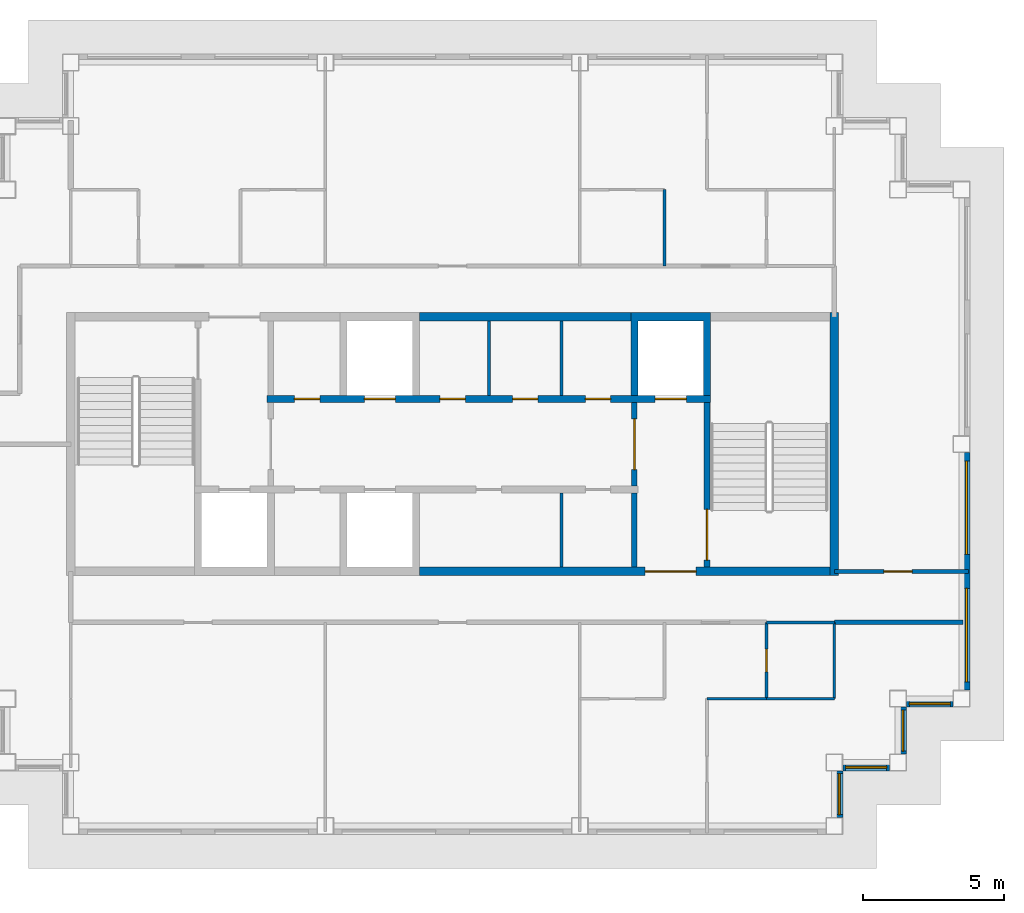
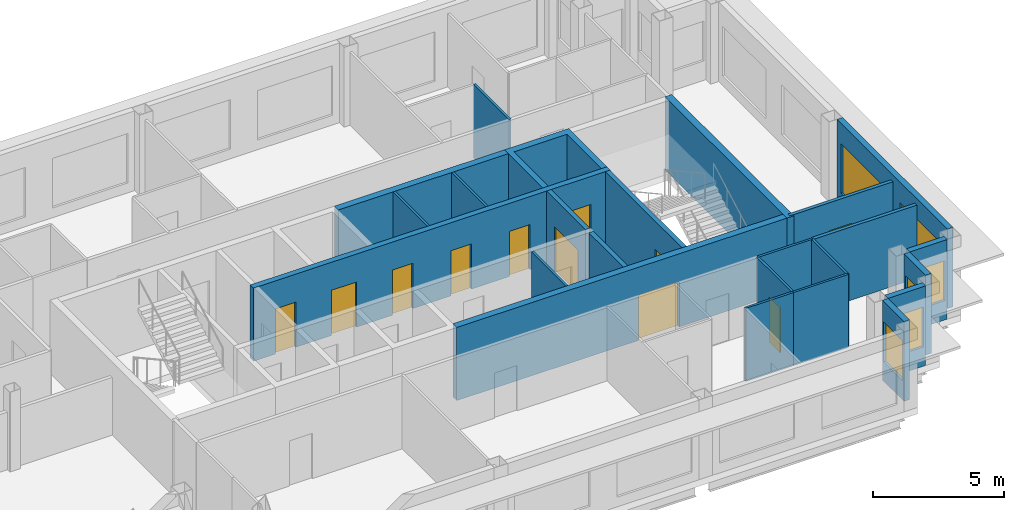
# One storey, part 5 of 11: 24 walls, 11 doors, 6 windows, 17 openings.
"""IFC4 building model written with IfcOpenShell, lengths in metres."""

import ifcopenshell
import ifcopenshell.guid

model = None  # the IFC model being written
_history = None  # IfcOwnerHistory: only IFC2X3 demands one
_inside = {}  # id of a spatial element -> (the spatial element, [elements in it])
_under = {}  # id of a project, library or spatial element -> (it, [spatial elements below it])
_declared = {}  # id of a project -> (the project, [libraries it declares])
_typed = {}  # id of a type object -> (the type object, [elements of that type])
_made_of = {}  # id of a material, layer set ... -> (it, [elements and type objects made of it])


def new_model(schema):
    """Start an empty IFC model of exactly this schema.

    Asked for "IFC4X3", IfcOpenShell would pick the latest addendum, in which some entities
    have other attributes; the version numbers below select the first issue.
    IFC2X3 requires an IfcOwnerHistory on every rooted entity: one is made here for all.
    """
    global model, _history
    if schema == "IFC4X3":
        model = ifcopenshell.file(schema_version=(4, 3, 0, 0))
    else:
        model = ifcopenshell.file(schema=schema)
    _inside.clear()
    _under.clear()
    _declared.clear()
    _typed.clear()
    _made_of.clear()
    _history = None
    if model.schema == "IFC2X3":
        org = make("IfcOrganization", Name="unknown")
        user = make(
            "IfcPersonAndOrganization",
            ThePerson=make("IfcPerson", FamilyName="unknown"),
            TheOrganization=org,
        )
        app = make(
            "IfcApplication",
            ApplicationDeveloper=org,
            Version="unknown",
            ApplicationFullName="unknown",
            ApplicationIdentifier="unknown",
        )
        _history = make(
            "IfcOwnerHistory",
            OwningUser=user,
            OwningApplication=app,
            ChangeAction="ADDED",
            CreationDate=0,
        )
    return model


def make(cls, **values):
    """One entity of the class cls with the attributes given. An attribute that is None is left unset."""
    return model.create_entity(
        cls, **{name: value for name, value in values.items() if value is not None}
    )


def rooted(cls, **values):
    """An entity with a GlobalId (a new one), such as an element, a storey or a relation."""
    return make(cls, GlobalId=ifcopenshell.guid.new(), OwnerHistory=_history, **values)


def si_unit(unit_type, name, prefix=None):
    """IfcSIUnit, for example si_unit("LENGTHUNIT", "METRE", prefix="MILLI")."""
    return make("IfcSIUnit", UnitType=unit_type, Prefix=prefix, Name=name)


def assignment(units):
    """IfcUnitAssignment: the units of a project."""
    return None if units is None else make("IfcUnitAssignment", Units=units)


def point(xyz):
    """IfcCartesianPoint."""
    return None if xyz is None else make("IfcCartesianPoint", Coordinates=xyz)


def direction(xyz):
    """IfcDirection."""
    return None if xyz is None else make("IfcDirection", DirectionRatios=xyz)


def frame(location, z_axis=None, x_axis=None):
    """IfcAxis2Placement3D, a coordinate frame: its origin and axes. An axis left out is left unset."""
    return make(
        "IfcAxis2Placement3D",
        Location=point(location),
        Axis=direction(z_axis),
        RefDirection=direction(x_axis),
    )


def frame_2d(location, x_axis=None):
    """IfcAxis2Placement2D, a coordinate frame in the plane: its origin and x axis."""
    return make(
        "IfcAxis2Placement2D", Location=point(location), RefDirection=direction(x_axis)
    )


def origin():
    """The frame at (0, 0, 0) with its axes left unset."""
    return frame((0.0, 0.0, 0.0))


def place(relative_to, where):
    """IfcLocalPlacement: puts the frame where relative to a parent placement (None: the world)."""
    return make(
        "IfcLocalPlacement", PlacementRelTo=relative_to, RelativePlacement=where
    )


def context(
    kind, dimensions, precision=None, world=None, true_north=None, identifier=None
):
    """IfcGeometricRepresentationContext, for example the 3D "Model" context."""
    return make(
        "IfcGeometricRepresentationContext",
        ContextIdentifier=identifier,
        ContextType=kind,
        CoordinateSpaceDimension=dimensions,
        Precision=precision,
        WorldCoordinateSystem=world,
        TrueNorth=true_north,
    )


def subcontext(parent, identifier, kind, view, scale=None):
    """IfcGeometricRepresentationSubContext, for example "Body" below "Model"."""
    return make(
        "IfcGeometricRepresentationSubContext",
        ContextIdentifier=identifier,
        ContextType=kind,
        ParentContext=parent,
        TargetScale=scale,
        TargetView=view,
    )


def project(units=None, contexts=None):
    """IfcProject with its units and contexts."""
    return rooted(
        "IfcProject",
        Name="project",
        RepresentationContexts=contexts,
        UnitsInContext=assignment(units),
    )


def spatial(cls, under=None, at=None, **own):
    """A site, building, storey or space (cls), placed at a placement, below another one or the project."""
    s = rooted(cls, ObjectPlacement=at, **own)
    if under is not None:
        _under.setdefault(under.id(), (under, []))[1].append(s)
    return s


def polyline(points):
    """IfcPolyline through the points."""
    return make("IfcPolyline", Points=[point(p) for p in points])


def profile(cls, at=None, kind="AREA", **sizes):
    """A parametric profile (cls). Its sizes go by their IFC names, for example OverallWidth=200.0."""
    return make(cls, ProfileType=kind, Position=at, **sizes)


def rectangle(**sizes):
    """IfcRectangleProfileDef."""
    return profile("IfcRectangleProfileDef", **sizes)


def outline(outer, holes=None, kind="AREA"):
    """IfcArbitraryClosedProfileDef: a profile drawn as a closed curve; with holes, ...WithVoids."""
    if holes is None:
        return make("IfcArbitraryClosedProfileDef", ProfileType=kind, OuterCurve=outer)
    return make(
        "IfcArbitraryProfileDefWithVoids",
        ProfileType=kind,
        OuterCurve=outer,
        InnerCurves=holes,
    )


def extrude(swept, where, along, depth):
    """IfcExtrudedAreaSolid: the profile swept, set in the frame where, extruded along a direction by depth."""
    return make(
        "IfcExtrudedAreaSolid",
        SweptArea=swept,
        Position=where,
        ExtrudedDirection=direction(along),
        Depth=depth,
    )


def shape(context_of_items, identifier, shape_type, items):
    """IfcShapeRepresentation: the items that make up one representation, for example the "Body"."""
    return make(
        "IfcShapeRepresentation",
        ContextOfItems=context_of_items,
        RepresentationIdentifier=identifier,
        RepresentationType=shape_type,
        Items=items,
    )


def material(Name=None, Category=None):
    """IfcMaterial."""
    return make("IfcMaterial", Name=Name, Category=Category)


def layer(
    of_material, thickness, ventilated=None, Name=None, Category=None, Priority=None
):
    """IfcMaterialLayer: one layer of a wall or slab, of a material (None: an air gap)."""
    return make(
        "IfcMaterialLayer",
        Material=of_material,
        LayerThickness=thickness,
        IsVentilated=ventilated,
        Name=Name,
        Category=Category,
        Priority=Priority,
    )


def layer_set(layers, Name=None):
    """IfcMaterialLayerSet."""
    return make("IfcMaterialLayerSet", MaterialLayers=layers, LayerSetName=Name)


def made_of(thing, what):
    """Note that an element or type object is made of a material, layer set ...; save() writes the relation."""
    if what is not None:
        _made_of.setdefault(what.id(), (what, []))[1].append(thing)
    return thing


def type_object(cls, material=None, **own):
    """A type object (cls), such as IfcWallType, which elements share."""
    return made_of(rooted(cls, **own), material)


def element(
    cls,
    number,
    at=None,
    inside=None,
    cuts=None,
    type_object=None,
    material=None,
    context=None,
    identifier="Body",
    shape_type=None,
    held_by="IfcProductDefinitionShape",
    body=None,
    shapes=None,
    **own,
):
    """One element of the class cls, such as IfcWall. Its Tag is "e" and its number.

    at: its placement. inside: the storey or other place that contains it. cuts: it is an
    opening in that element (IfcRelVoidsElement). A single representation is given by context,
    identifier, shape_type and body (its items); several are given by shapes. held_by: the class
    of the entity that holds the representations. save() writes the other relations.
    """
    e = rooted(cls, Tag="e%d" % number, ObjectPlacement=at, **own)
    if body is not None:
        shapes = [shape(context, identifier, shape_type, body)]
    if shapes is not None:
        e.Representation = make(held_by, Representations=shapes)
    if inside is not None:
        _inside.setdefault(inside.id(), (inside, []))[1].append(e)
    if cuts is not None:
        rooted(
            "IfcRelVoidsElement", RelatingBuildingElement=cuts, RelatedOpeningElement=e
        )
    if type_object is not None:
        _typed.setdefault(type_object.id(), (type_object, []))[1].append(e)
    return made_of(e, material)


def fill(opening, filler):
    """IfcRelFillsElement: the door or window that sits in an opening."""
    return rooted(
        "IfcRelFillsElement",
        RelatingOpeningElement=opening,
        RelatedBuildingElement=filler,
    )


def aggregate(whole, parts):
    """IfcRelAggregates: a whole, such as a stair, and the parts it consists of."""
    return rooted("IfcRelAggregates", RelatingObject=whole, RelatedObjects=parts)


def save(model, path):
    """Write the relations noted so far, then the file.

    IfcRelAggregates (storeys below a building ...), IfcRelContainedInSpatialStructure (elements
    in a storey), IfcRelDefinesByType, IfcRelAssociatesMaterial and IfcRelDeclares: one each for
    every whole, place, type object, material and project.
    """
    for whole, parts in _under.values():
        aggregate(whole, parts)
    for where, things in _inside.values():
        rooted(
            "IfcRelContainedInSpatialStructure",
            RelatedElements=things,
            RelatingStructure=where,
        )
    for kind, things in _typed.values():
        rooted("IfcRelDefinesByType", RelatedObjects=things, RelatingType=kind)
    for what, things in _made_of.values():
        rooted("IfcRelAssociatesMaterial", RelatedObjects=things, RelatingMaterial=what)
    for by, libraries in _declared.values():
        rooted("IfcRelDeclares", RelatingContext=by, RelatedDefinitions=libraries)
    model.write(path)


model = new_model("IFC4")

# Units and contexts
model_context = context("Model", 3, precision=1e-05, world=origin(), true_north=direction((0.0, 1.0)))
body_context = subcontext(model_context, "Body", "Model", "MODEL_VIEW")
ifc_project = project(units=[si_unit("LENGTHUNIT", "METRE"), si_unit("AREAUNIT", "SQUARE_METRE"), si_unit("VOLUMEUNIT", "CUBIC_METRE"), si_unit("PLANEANGLEUNIT", "RADIAN"), si_unit("MASSUNIT", "GRAM", prefix="KILO")], contexts=[model_context])

# Site, building, storey
site_placement = place(None, origin())
site = spatial("IfcSite", under=ifc_project, at=site_placement, CompositionType="ELEMENT")
building_placement = place(site_placement, origin())
building = spatial("IfcBuilding", under=site, at=building_placement, Name="Caravel Reach Hotel and Residences", CompositionType="ELEMENT")
storey_placement = place(building_placement, frame((0.0, 0.0, 260.10009765625)))
storey = spatial("IfcBuildingStorey", under=building, at=storey_placement, Name="L66", CompositionType="ELEMENT", Elevation=260.10009765625)

# Walls
ifc_material_1 = material(Name="Gypsum board on steel stud", Category="steel")
ifc_layer_1 = layer(ifc_material_1, 0.10009765625)
ifc_layer_set_1 = layer_set([ifc_layer_1], Name="Bathroom pod wall 100 mm")
wall_type_1 = type_object("IfcWallType", Name="Bathroom pod wall 100 mm", PredefinedType="PARTITIONING", material=ifc_layer_set_1)
for number, where, z_axis, x_axis, name in (
    (1, (42.60009765625, 18.0, 0.0), (0.0, 0.0, 1.0), (1.0, 0.0, 0.0), "L66 wall w050"),
    (2, (42.60009765625, 20.699951171875, 0.0), (0.0, 0.0, 1.0), (1.0, 0.0, 0.0), "L66 wall w051"),
):
    element("IfcWall", number, at=place(storey_placement, frame(where, z_axis=z_axis, x_axis=x_axis)), inside=storey, type_object=wall_type_1, Name=name, PredefinedType="PARTITIONING", context=body_context, shape_type="SweptSolid", body=[
        extrude(rectangle(XDim=2.39990234375, YDim=0.10009765625, at=frame_2d((1.199951171875, 0.0))), origin(), (0.0, 0.0, 1.0), 3.39990234375),
    ])

# Wall, opening, door
wall_1_placement = place(storey_placement, frame((42.60009765625, 18.0, 0.0), z_axis=(0.0, 0.0, 1.0), x_axis=(0.0, 1.0, 0.0)))
wall_1 = element("IfcWall", 3, at=wall_1_placement, inside=storey, type_object=wall_type_1, Name="L66 wall w062", PredefinedType="PARTITIONING", context=body_context, shape_type="SweptSolid", body=[
    extrude(rectangle(XDim=2.699951171875, YDim=0.10009765625, at=frame_2d((1.35009765625, 0.0))), origin(), (0.0, 0.0, 1.0), 3.39990234375),
])
opening_1_placement = place(wall_1_placement, frame((0.949951171875, 0.0, 0.0)))
opening_1 = element("IfcOpeningElement", 4, at=opening_1_placement, cuts=wall_1, Name="Opening D66-035", PredefinedType="OPENING", context=body_context, shape_type="SweptSolid", body=[
    extrude(rectangle(XDim=0.800048828125, YDim=2.10009765625, at=frame_2d((0.39990234375, 1.050048828125))), frame((0.0, 0.06005859375, 0.0), z_axis=(0.0, -1.0, 0.0), x_axis=(1.0, 0.0, 0.0)), (0.0, 0.0, 1.0), 0.1201171875),
])
ifc_material_2 = material(Name="Timber and steel door leaf", Category="steel")
door_type_1 = type_object("IfcDoorType", Name="Bathroom door 800 x 2100", OperationType="SINGLE_SWING_LEFT", PredefinedType="DOOR", material=ifc_material_2)
door_1_placement = place(opening_1_placement, origin())
door_1 = element("IfcDoor", 5, at=door_1_placement, inside=storey, type_object=door_type_1, Name="door D66-035", OperationType="SINGLE_SWING_LEFT", OverallHeight=2.10009765625, OverallWidth=0.800048828125, PredefinedType="DOOR", context=body_context, shape_type="SweptSolid", body=[
    extrude(rectangle(XDim=0.800048828125, YDim=2.10009765625, at=frame_2d((0.39990234375, 1.050048828125))), frame((0.0, 0.02490234375, 0.0), z_axis=(0.0, -1.0, 0.0), x_axis=(1.0, 0.0, 0.0)), (0.0, 0.0, 1.0), 0.050048828125),
])
fill(opening_1, door_1)

# Walls
wall_2_placement = place(storey_placement, frame((45.0, 18.0, 0.0), z_axis=(0.0, 0.0, 1.0), x_axis=(0.0, 1.0, 0.0)))
element("IfcWall", 6, at=wall_2_placement, inside=storey, type_object=wall_type_1, Name="L66 wall w064", PredefinedType="PARTITIONING", context=body_context, shape_type="SweptSolid", body=[
    extrude(rectangle(XDim=2.698974609375, YDim=0.10009765625, at=frame_2d((1.349609375, 0.0))), origin(), (0.0, 0.0, 1.0), 3.39990234375),
])
ifc_material_3 = material(Name="Autoclaved aerated block wall")
ifc_layer_2 = layer(ifc_material_3, 0.199951171875)
ifc_layer_set_2 = layer_set([ifc_layer_2], Name="Compartment wall 200 mm EI 120")
wall_type_2 = type_object("IfcWallType", Name="Compartment wall 200 mm EI 120", PredefinedType="PARTITIONING", material=ifc_layer_set_2)
wall_3_placement = place(storey_placement, frame((37.928466796875, 22.64990234375, 0.0), z_axis=(0.0, 0.0, 1.0), x_axis=(0.0, 1.0, 0.0)))
element("IfcWall", 7, at=wall_3_placement, inside=storey, type_object=wall_type_2, Name="L66 store partition", PredefinedType="PARTITIONING", context=body_context, shape_type="SweptSolid", body=[
    extrude(rectangle(XDim=2.625, YDim=0.199951171875, at=frame_2d((1.3125, 0.0))), origin(), (0.0, 0.0, 1.0), 3.39990234375),
])

# Wall, opening, door
ifc_material_4 = material(Name="Concrete C60", Category="concrete")
ifc_layer_3 = layer(ifc_material_4, 0.300048828125)
ifc_layer_set_3 = layer_set([ifc_layer_3], Name="Core wall 300 mm EI 120")
wall_type_3 = type_object("IfcWallType", Name="Core wall 300 mm EI 120", PredefinedType="SHEAR", material=ifc_layer_set_3)
wall_4_placement = place(storey_placement, frame((30.33935546875, 22.5, 0.0), z_axis=(0.0, 0.0, 1.0), x_axis=(1.0, 0.0, 0.0)))
wall_4 = element("IfcWall", 8, at=wall_4_placement, inside=storey, type_object=wall_type_3, Name="L66 core wall S3", PredefinedType="SHEAR", context=body_context, shape_type="SweptSolid", body=[
    extrude(rectangle(XDim=14.5107421875, YDim=0.300048828125, at=frame_2d((7.25537109375, 0.0))), origin(), (0.0, 0.0, 1.0), 3.39990234375),
])
opening_2_placement = place(wall_4_placement, frame((7.97509765625, 0.0, 0.0)))
opening_2 = element("IfcOpeningElement", 9, at=opening_2_placement, cuts=wall_4, Name="Opening D66-017", PredefinedType="OPENING", context=body_context, shape_type="SweptSolid", body=[
    extrude(rectangle(XDim=1.800048828125, YDim=2.10009765625, at=frame_2d((0.89990234375, 1.050048828125))), frame((0.0, 0.159912109375, 0.0), z_axis=(0.0, -1.0, 0.0), x_axis=(1.0, 0.0, 0.0)), (0.0, 0.0, 1.0), 0.320068359375),
])
ifc_material_5 = material(Name="Steel fire door leaf", Category="steel")
door_type_2 = type_object("IfcDoorType", Name="Fire lobby door pair 1800 x 2100 EI 90", OperationType="DOUBLE_DOOR_SINGLE_SWING", PredefinedType="DOOR", material=ifc_material_5)
door_2_placement = place(opening_2_placement, origin())
door_2 = element("IfcDoor", 10, at=door_2_placement, inside=storey, type_object=door_type_2, Name="lobby S door pair to corridor", OperationType="DOUBLE_DOOR_SINGLE_SWING", OverallHeight=2.10009765625, OverallWidth=1.800048828125, PredefinedType="DOOR", context=body_context, shape_type="SweptSolid", body=[
    extrude(rectangle(XDim=1.800048828125, YDim=2.10009765625, at=frame_2d((0.89990234375, 1.050048828125))), frame((0.0, 0.02490234375, 0.0), z_axis=(0.0, -1.0, 0.0), x_axis=(1.0, 0.0, 0.0)), (0.0, 0.0, 1.0), 0.050048828125),
])
fill(opening_2, door_2)

# Walls
wall_5_placement = place(storey_placement, frame((30.33935546875, 31.5, 0.0), z_axis=(0.0, 0.0, 1.0), x_axis=(1.0, 0.0, 0.0)))
element("IfcWall", 11, at=wall_5_placement, inside=storey, type_object=wall_type_3, Name="L66 core wall N2", PredefinedType="SHEAR", context=body_context, shape_type="SweptSolid", body=[
    extrude(rectangle(XDim=7.464111328125, YDim=0.300048828125, at=frame_2d((3.73193359375, 0.0))), origin(), (0.0, 0.0, 1.0), 3.39990234375),
])
wall_6_placement = place(storey_placement, frame((45.0, 22.35009765625, 0.0), z_axis=(0.0, 0.0, 1.0), x_axis=(0.0, 1.0, 0.0)))
element("IfcWall", 12, at=wall_6_placement, inside=storey, type_object=wall_type_3, Name="L66 core wall E", PredefinedType="SHEAR", context=body_context, shape_type="SweptSolid", body=[
    extrude(rectangle(XDim=9.2998046875, YDim=0.300048828125, at=frame_2d((4.64990234375, 0.0))), origin(), (0.0, 0.0, 1.0), 3.39990234375),
])
ifc_material_6 = material(Name="Gypsum board on steel stud, fire-rated", Category="steel")
ifc_layer_4 = layer(ifc_material_6, 0.14990234375)
ifc_layer_set_4 = layer_set([ifc_layer_4], Name="Corridor wall 150 mm EI 60")
wall_type_4 = type_object("IfcWallType", Name="Corridor wall 150 mm EI 60", PredefinedType="PARTITIONING", material=ifc_layer_set_4)
wall_7_placement = place(storey_placement, frame((45.0009765625, 20.699951171875, 0.0), z_axis=(0.0, 0.0, 1.0), x_axis=(1.0, 0.0, 0.0)))
element("IfcWall", 13, at=wall_7_placement, inside=storey, type_object=wall_type_4, Name="L66 wall w003", PredefinedType="PARTITIONING", context=body_context, shape_type="SweptSolid", body=[
    extrude(rectangle(XDim=4.549072265625, YDim=0.14990234375, at=frame_2d((2.2744140625, 0.0))), origin(), (0.0, 0.0, 1.0), 3.39990234375),
])

# Wall, opening, door
wall_8_placement = place(storey_placement, frame((45.0, 22.5, 0.0), z_axis=(0.0, 0.0, 1.0), x_axis=(1.0, 0.0, 0.0)))
wall_8 = element("IfcWall", 14, at=wall_8_placement, inside=storey, type_object=wall_type_4, Name="L66 wall w006", PredefinedType="PARTITIONING", context=body_context, shape_type="SweptSolid", body=[
    extrude(rectangle(XDim=4.739990234375, YDim=0.14990234375, at=frame_2d((2.3701171875, 0.0))), origin(), (0.0, 0.0, 1.0), 3.39990234375),
])
opening_3_placement = place(wall_8_placement, frame((1.75, 0.0, 0.0)))
opening_3 = element("IfcOpeningElement", 15, at=opening_3_placement, cuts=wall_8, Name="Opening D66-038", PredefinedType="OPENING", context=body_context, shape_type="SweptSolid", body=[
    extrude(rectangle(XDim=1.0, YDim=2.10009765625, at=frame_2d((0.5, 1.050048828125))), frame((0.0, 0.0849609375, 0.0), z_axis=(0.0, -1.0, 0.0), x_axis=(1.0, 0.0, 0.0)), (0.0, 0.0, 1.0), 0.169921875),
])
ifc_material_7 = material(Name="Steel fire door leaf", Category="steel")
door_type_3 = type_object("IfcDoorType", Name="Fire door 1000 x 2100 EI 60", OperationType="SINGLE_SWING_LEFT", PredefinedType="DOOR", material=ifc_material_7)
door_3_placement = place(opening_3_placement, origin())
door_3 = element("IfcDoor", 16, at=door_3_placement, inside=storey, type_object=door_type_3, Name="door D66-038", OperationType="SINGLE_SWING_LEFT", OverallHeight=2.10009765625, OverallWidth=1.0, PredefinedType="DOOR", context=body_context, shape_type="SweptSolid", body=[
    extrude(rectangle(XDim=1.0, YDim=2.10009765625, at=frame_2d((0.5, 1.050048828125))), frame((0.0, 0.02490234375, 0.0), z_axis=(0.0, -1.0, 0.0), x_axis=(1.0, 0.0, 0.0)), (0.0, 0.0, 1.0), 0.050048828125),
])
fill(opening_3, door_3)

# Wall, opening, window
ifc_material_8 = material(Name="Insulated rainscreen wall, aluminium cladding", Category="aluminium")
ifc_layer_5 = layer(ifc_material_8, 0.25)
ifc_layer_set_5 = layer_set([ifc_layer_5], Name="EW1 Tower rainscreen wall")
wall_type_5 = type_object("IfcWallType", Name="EW1 Tower rainscreen wall", PredefinedType="SOLIDWALL", material=ifc_layer_set_5)
wall_9_placement = place(storey_placement, frame((45.175048828125, 13.800048828125, 0.0), z_axis=(0.0, 0.0, 1.0), x_axis=(0.0, 1.0, 0.0)))
wall_9 = element("IfcWall", 17, at=wall_9_placement, inside=storey, type_object=wall_type_5, Name="External wall L66 E5.1", PredefinedType="SOLIDWALL", context=body_context, shape_type="SweptSolid", body=[
    extrude(rectangle(XDim=1.64990234375, YDim=0.25, at=frame_2d((0.824951171875, 0.0))), origin(), (0.0, 0.0, 1.0), 3.699951171875),
])
opening_4_placement = place(wall_9_placement, frame((0.10009765625, 0.0, 0.89990234375)))
opening_4 = element("IfcOpeningElement", 18, at=opening_4_placement, cuts=wall_9, Name="Opening WN25", PredefinedType="OPENING", context=body_context, shape_type="SweptSolid", body=[
    extrude(rectangle(XDim=1.449951171875, YDim=1.85009765625, at=frame_2d((0.72509765625, 0.925048828125))), frame((0.0, 0.135009765625, 0.0), z_axis=(0.0, -1.0, 0.0), x_axis=(1.0, 0.0, 0.0)), (0.0, 0.0, 1.0), 0.27001953125),
])
ifc_material_9 = material(Name="Dark low-e glazing in black aluminium frame", Category="aluminium")
window_type_1 = type_object("IfcWindowType", Name="Residence bedroom window 1450 x 1850", PartitioningType="SINGLE_PANEL", PredefinedType="WINDOW", material=ifc_material_9)
window_1_placement = place(opening_4_placement, origin())
window_1 = element("IfcWindow", 19, at=window_1_placement, inside=storey, type_object=window_type_1, Name="Window L66 E5.1.1", OverallHeight=1.85009765625, OverallWidth=1.449951171875, PartitioningType="SINGLE_PANEL", PredefinedType="WINDOW", context=body_context, shape_type="SweptSolid", body=[
    extrude(rectangle(XDim=1.449951171875, YDim=1.85009765625, at=frame_2d((0.72509765625, 0.925048828125))), frame((0.0, 0.030029296875, 0.0), z_axis=(0.0, -1.0, 0.0), x_axis=(1.0, 0.0, 0.0)), (0.0, 0.0, 1.0), 0.06005859375),
])
fill(opening_4, window_1)

wall_10_placement = place(storey_placement, frame((45.300048828125, 15.574951171875, 0.0), z_axis=(0.0, 0.0, 1.0), x_axis=(1.0, 0.0, 0.0)))
wall_10 = element("IfcWall", 20, at=wall_10_placement, inside=storey, type_object=wall_type_5, Name="External wall L66 S6.1", PredefinedType="SOLIDWALL", context=body_context, shape_type="SweptSolid", body=[
    extrude(rectangle(XDim=1.64990234375, YDim=0.25, at=frame_2d((0.824951171875, 0.0))), origin(), (0.0, 0.0, 1.0), 3.699951171875),
])
opening_5_placement = place(wall_10_placement, frame((0.10009765625, 0.0, 0.89990234375)))
opening_5 = element("IfcOpeningElement", 21, at=opening_5_placement, cuts=wall_10, Name="Opening WN25", PredefinedType="OPENING", context=body_context, shape_type="SweptSolid", body=[
    extrude(rectangle(XDim=1.449951171875, YDim=1.85009765625, at=frame_2d((0.72509765625, 0.925048828125))), frame((0.0, 0.135009765625, 0.0), z_axis=(0.0, -1.0, 0.0), x_axis=(1.0, 0.0, 0.0)), (0.0, 0.0, 1.0), 0.27001953125),
])
window_2_placement = place(opening_5_placement, origin())
window_2 = element("IfcWindow", 22, at=window_2_placement, inside=storey, type_object=window_type_1, Name="Window L66 S6.1.1", OverallHeight=1.85009765625, OverallWidth=1.449951171875, PartitioningType="SINGLE_PANEL", PredefinedType="WINDOW", context=body_context, shape_type="SweptSolid", body=[
    extrude(rectangle(XDim=1.449951171875, YDim=1.85009765625, at=frame_2d((0.72509765625, 0.925048828125))), frame((0.0, 0.030029296875, 0.0), z_axis=(0.0, -1.0, 0.0), x_axis=(1.0, 0.0, 0.0)), (0.0, 0.0, 1.0), 0.06005859375),
])
fill(opening_5, window_2)

wall_11_placement = place(storey_placement, frame((47.425048828125, 16.050048828125, 0.0), z_axis=(0.0, 0.0, 1.0), x_axis=(0.0, 1.0, 0.0)))
wall_11 = element("IfcWall", 23, at=wall_11_placement, inside=storey, type_object=wall_type_5, Name="External wall L66 E7.1", PredefinedType="SOLIDWALL", context=body_context, shape_type="SweptSolid", body=[
    extrude(rectangle(XDim=1.64990234375, YDim=0.25, at=frame_2d((0.824951171875, 0.0))), origin(), (0.0, 0.0, 1.0), 3.699951171875),
])
opening_6_placement = place(wall_11_placement, frame((0.10009765625, 0.0, 0.89990234375)))
opening_6 = element("IfcOpeningElement", 24, at=opening_6_placement, cuts=wall_11, Name="Opening WN25", PredefinedType="OPENING", context=body_context, shape_type="SweptSolid", body=[
    extrude(rectangle(XDim=1.449951171875, YDim=1.85009765625, at=frame_2d((0.72509765625, 0.925048828125))), frame((0.0, 0.135009765625, 0.0), z_axis=(0.0, -1.0, 0.0), x_axis=(1.0, 0.0, 0.0)), (0.0, 0.0, 1.0), 0.27001953125),
])
window_3_placement = place(opening_6_placement, origin())
window_3 = element("IfcWindow", 25, at=window_3_placement, inside=storey, type_object=window_type_1, Name="Window L66 E7.1.1", OverallHeight=1.85009765625, OverallWidth=1.449951171875, PartitioningType="SINGLE_PANEL", PredefinedType="WINDOW", context=body_context, shape_type="SweptSolid", body=[
    extrude(rectangle(XDim=1.449951171875, YDim=1.85009765625, at=frame_2d((0.72509765625, 0.925048828125))), frame((0.0, 0.030029296875, 0.0), z_axis=(0.0, -1.0, 0.0), x_axis=(1.0, 0.0, 0.0)), (0.0, 0.0, 1.0), 0.06005859375),
])
fill(opening_6, window_3)

wall_12_placement = place(storey_placement, frame((47.550048828125, 17.824951171875, 0.0), z_axis=(0.0, 0.0, 1.0), x_axis=(1.0, 0.0, 0.0)))
wall_12 = element("IfcWall", 26, at=wall_12_placement, inside=storey, type_object=wall_type_5, Name="External wall L66 S8.1", PredefinedType="SOLIDWALL", context=body_context, shape_type="SweptSolid", body=[
    extrude(rectangle(XDim=1.64990234375, YDim=0.25, at=frame_2d((0.824951171875, 0.0))), origin(), (0.0, 0.0, 1.0), 3.699951171875),
])
opening_7_placement = place(wall_12_placement, frame((0.10009765625, 0.0, 0.89990234375)))
opening_7 = element("IfcOpeningElement", 27, at=opening_7_placement, cuts=wall_12, Name="Opening WN25", PredefinedType="OPENING", context=body_context, shape_type="SweptSolid", body=[
    extrude(rectangle(XDim=1.449951171875, YDim=1.85009765625, at=frame_2d((0.72509765625, 0.925048828125))), frame((0.0, 0.135009765625, 0.0), z_axis=(0.0, -1.0, 0.0), x_axis=(1.0, 0.0, 0.0)), (0.0, 0.0, 1.0), 0.27001953125),
])
window_4_placement = place(opening_7_placement, origin())
window_4 = element("IfcWindow", 28, at=window_4_placement, inside=storey, type_object=window_type_1, Name="Window L66 S8.1.1", OverallHeight=1.85009765625, OverallWidth=1.449951171875, PartitioningType="SINGLE_PANEL", PredefinedType="WINDOW", context=body_context, shape_type="SweptSolid", body=[
    extrude(rectangle(XDim=1.449951171875, YDim=1.85009765625, at=frame_2d((0.72509765625, 0.925048828125))), frame((0.0, 0.030029296875, 0.0), z_axis=(0.0, -1.0, 0.0), x_axis=(1.0, 0.0, 0.0)), (0.0, 0.0, 1.0), 0.06005859375),
])
fill(opening_7, window_4)

# Wall, openings, windows
wall_13_placement = place(storey_placement, frame((49.675048828125, 18.300048828125, 0.0), z_axis=(0.0, 0.0, 1.0), x_axis=(0.0, 1.0, 0.0)))
wall_13 = element("IfcWall", 29, at=wall_13_placement, inside=storey, type_object=wall_type_5, Name="External wall L66 E9.1", PredefinedType="SOLIDWALL", context=body_context, shape_type="SweptSolid", body=[
    extrude(rectangle(XDim=8.39990234375, YDim=0.25, at=frame_2d((4.199951171875, 0.0))), origin(), (0.0, 0.0, 1.0), 3.699951171875),
])
opening_8_placement = place(wall_13_placement, frame((0.300048828125, 0.0, 0.449951171875)))
opening_8 = element("IfcOpeningElement", 30, at=opening_8_placement, cuts=wall_13, Name="Opening WN15", PredefinedType="OPENING", context=body_context, shape_type="SweptSolid", body=[
    extrude(rectangle(XDim=3.300048828125, YDim=2.300048828125, at=frame_2d((1.64990234375, 1.14990234375))), frame((0.0, 0.135009765625, 0.0), z_axis=(0.0, -1.0, 0.0), x_axis=(1.0, 0.0, 0.0)), (0.0, 0.0, 1.0), 0.27001953125),
])
opening_9_placement = place(wall_13_placement, frame((4.800048828125, 0.0, 0.449951171875)))
opening_9 = element("IfcOpeningElement", 31, at=opening_9_placement, cuts=wall_13, Name="Opening WN15", PredefinedType="OPENING", context=body_context, shape_type="SweptSolid", body=[
    extrude(rectangle(XDim=3.300048828125, YDim=2.300048828125, at=frame_2d((1.64990234375, 1.14990234375))), frame((0.0, 0.135009765625, 0.0), z_axis=(0.0, -1.0, 0.0), x_axis=(1.0, 0.0, 0.0)), (0.0, 0.0, 1.0), 0.27001953125),
])
ifc_material_10 = material(Name="Dark low-e glazing in black aluminium frame", Category="aluminium")
window_type_2 = type_object("IfcWindowType", Name="Residence living window 3300 x 2300", PartitioningType="SINGLE_PANEL", PredefinedType="WINDOW", material=ifc_material_10)
window_5_placement = place(opening_8_placement, origin())
window_5 = element("IfcWindow", 32, at=window_5_placement, inside=storey, type_object=window_type_2, Name="Window L66 E9.1.1", OverallHeight=2.300048828125, OverallWidth=3.300048828125, PartitioningType="SINGLE_PANEL", PredefinedType="WINDOW", context=body_context, shape_type="SweptSolid", body=[
    extrude(rectangle(XDim=3.300048828125, YDim=2.300048828125, at=frame_2d((1.64990234375, 1.14990234375))), frame((0.0, 0.030029296875, 0.0), z_axis=(0.0, -1.0, 0.0), x_axis=(1.0, 0.0, 0.0)), (0.0, 0.0, 1.0), 0.06005859375),
])
fill(opening_8, window_5)
window_6_placement = place(opening_9_placement, origin())
window_6 = element("IfcWindow", 33, at=window_6_placement, inside=storey, type_object=window_type_2, Name="Window L66 E9.1.2", OverallHeight=2.300048828125, OverallWidth=3.300048828125, PartitioningType="SINGLE_PANEL", PredefinedType="WINDOW", context=body_context, shape_type="SweptSolid", body=[
    extrude(rectangle(XDim=3.300048828125, YDim=2.300048828125, at=frame_2d((1.64990234375, 1.14990234375))), frame((0.0, 0.030029296875, 0.0), z_axis=(0.0, -1.0, 0.0), x_axis=(1.0, 0.0, 0.0)), (0.0, 0.0, 1.0), 0.06005859375),
])
fill(opening_9, window_6)

# Wall, opening, door
ifc_material_11 = material(Name="Autoclaved aerated block wall")
ifc_layer_6 = layer(ifc_material_11, 0.199951171875)
ifc_layer_set_6 = layer_set([ifc_layer_6], Name="Fire lobby wall 200 mm EI 120")
wall_type_6 = type_object("IfcWallType", Name="Fire lobby wall 200 mm EI 120", PredefinedType="PARTITIONING", material=ifc_layer_set_6)
wall_14_placement = place(storey_placement, frame((37.928466796875, 25.52490234375, 0.0), z_axis=(0.0, 0.0, 1.0), x_axis=(0.0, 1.0, 0.0)))
wall_14 = element("IfcWall", 34, at=wall_14_placement, inside=storey, type_object=wall_type_6, Name="L66 lobby E wall", PredefinedType="PARTITIONING", context=body_context, shape_type="SweptSolid", body=[
    extrude(rectangle(XDim=2.9501953125, YDim=0.199951171875, at=frame_2d((1.47509765625, 0.0))), origin(), (0.0, 0.0, 1.0), 3.39990234375),
])
opening_10_placement = place(wall_14_placement, frame((0.574951171875, 0.0, 0.0)))
opening_10 = element("IfcOpeningElement", 35, at=opening_10_placement, cuts=wall_14, Name="Opening D66-015", PredefinedType="OPENING", context=body_context, shape_type="SweptSolid", body=[
    extrude(rectangle(XDim=1.800048828125, YDim=2.10009765625, at=frame_2d((0.89990234375, 1.050048828125))), frame((0.0, 0.10986328125, 0.0), z_axis=(0.0, -1.0, 0.0), x_axis=(1.0, 0.0, 0.0)), (0.0, 0.0, 1.0), 0.219970703125),
])
door_4_placement = place(opening_10_placement, origin())
door_4 = element("IfcDoor", 36, at=door_4_placement, inside=storey, type_object=door_type_2, Name="lobby E door pair", OperationType="DOUBLE_DOOR_SINGLE_SWING", OverallHeight=2.10009765625, OverallWidth=1.800048828125, PredefinedType="DOOR", context=body_context, shape_type="SweptSolid", body=[
    extrude(rectangle(XDim=1.800048828125, YDim=2.10009765625, at=frame_2d((0.89990234375, 1.050048828125))), frame((0.0, 0.02490234375, 0.0), z_axis=(0.0, -1.0, 0.0), x_axis=(1.0, 0.0, 0.0)), (0.0, 0.0, 1.0), 0.050048828125),
])
fill(opening_10, door_4)

# Walls
ifc_material_12 = material(Name="Gypsum board on steel stud", Category="steel")
ifc_layer_7 = layer(ifc_material_12, 0.10009765625)
ifc_layer_set_7 = layer_set([ifc_layer_7], Name="Partition 100 mm")
wall_type_7 = type_object("IfcWallType", Name="Partition 100 mm", PredefinedType="PARTITIONING", material=ifc_layer_set_7)
for number, where, z_axis, x_axis, name in (
    (37, (35.357177734375, 22.64990234375, 0.0), (0.0, 0.0, 1.0), (0.0, 1.0, 0.0), "L66 store partition"),
    (38, (32.78564453125, 28.72509765625, 0.0), (0.0, 0.0, 1.0), (0.0, 1.0, 0.0), "L66 store partition"),
    (39, (35.357177734375, 28.72509765625, 0.0), (0.0, 0.0, 1.0), (0.0, 1.0, 0.0), "L66 store partition"),
):
    element("IfcWall", number, at=place(storey_placement, frame(where, z_axis=z_axis, x_axis=x_axis)), inside=storey, type_object=wall_type_7, Name=name, PredefinedType="PARTITIONING", context=body_context, shape_type="SweptSolid", body=[
        extrude(rectangle(XDim=2.625, YDim=0.10009765625, at=frame_2d((1.3125, 0.0))), origin(), (0.0, 0.0, 1.0), 3.39990234375),
    ])
wall_15_placement = place(storey_placement, frame((40.5, 18.0, 0.0), z_axis=(0.0, 0.0, 1.0), x_axis=(1.0, 0.0, 0.0)))
element("IfcWall", 40, at=wall_15_placement, inside=storey, type_object=wall_type_7, Name="L66 wall w021", PredefinedType="PARTITIONING", context=body_context, shape_type="SweptSolid", body=[
    extrude(rectangle(XDim=2.10009765625, YDim=0.10009765625, at=frame_2d((1.050048828125, 0.0))), origin(), (0.0, 0.0, 1.0), 3.39990234375),
])
wall_16_placement = place(storey_placement, frame((39.0, 33.300048828125, 0.0), z_axis=(0.0, 0.0, 1.0), x_axis=(0.0, 1.0, 0.0)))
element("IfcWall", 41, at=wall_16_placement, inside=storey, type_object=wall_type_7, Name="L66 wall w041", PredefinedType="PARTITIONING", context=body_context, shape_type="SweptSolid", body=[
    extrude(rectangle(XDim=2.699951171875, YDim=0.10009765625, at=frame_2d((1.35009765625, 0.0))), origin(), (0.0, 0.0, 1.0), 3.39990234375),
])
ifc_material_13 = material(Name="Concrete C60", Category="concrete")
ifc_layer_8 = layer(ifc_material_13, 0.25)
ifc_layer_set_8 = layer_set([ifc_layer_8], Name="Shaft wall 250 mm EI 120")
wall_type_8 = type_object("IfcWallType", Name="Shaft wall 250 mm EI 120", PredefinedType="SHEAR", material=ifc_layer_set_8)
wall_17_placement = place(storey_placement, origin())
element("IfcWall", 42, at=wall_17_placement, inside=storey, type_object=wall_type_8, Name="L66 lift shaft wall N2", PredefinedType="SHEAR", context=body_context, shape_type="SweptSolid", body=[
    extrude(outline(polyline([(37.803466796875, 28.72509765625), (38.053466796875, 28.72509765625), (38.053466796875, 31.35009765625), (40.375, 31.35009765625), (40.375, 28.72509765625), (40.625, 28.72509765625), (40.625, 31.64990234375), (37.803466796875, 31.64990234375), (37.803466796875, 28.72509765625)])), origin(), (0.0, 0.0, 1.0), 3.39990234375),
])

# Wall, openings, doors
wall_18_placement = place(storey_placement, frame((24.946533203125, 28.60009765625, 0.0), z_axis=(0.0, 0.0, 1.0), x_axis=(1.0, 0.0, 0.0)))
wall_18 = element("IfcWall", 43, at=wall_18_placement, inside=storey, type_object=wall_type_8, Name="L66 lobby wall N1", PredefinedType="SHEAR", context=body_context, shape_type="SweptSolid", body=[
    extrude(rectangle(XDim=15.678466796875, YDim=0.25, at=frame_2d((7.83935546875, 0.0))), origin(), (0.0, 0.0, 1.0), 3.39990234375),
])
opening_11_placement = place(wall_18_placement, frame((3.43212890625, 0.0, 0.0)))
opening_11 = element("IfcOpeningElement", 44, at=opening_11_placement, cuts=wall_18, Name="Opening D66-002", PredefinedType="OPENING", context=body_context, shape_type="SweptSolid", body=[
    extrude(rectangle(XDim=1.10009765625, YDim=2.10009765625, at=frame_2d((0.550048828125, 1.050048828125))), frame((0.0, 0.135009765625, 0.0), z_axis=(0.0, -1.0, 0.0), x_axis=(1.0, 0.0, 0.0)), (0.0, 0.0, 1.0), 0.27001953125),
])
opening_12_placement = place(wall_18_placement, frame((13.718017578125, 0.0, 0.0)))
opening_12 = element("IfcOpeningElement", 45, at=opening_12_placement, cuts=wall_18, Name="Opening D66-004", PredefinedType="OPENING", context=body_context, shape_type="SweptSolid", body=[
    extrude(rectangle(XDim=1.10009765625, YDim=2.10009765625, at=frame_2d((0.550048828125, 1.050048828125))), frame((0.0, 0.135009765625, 0.0), z_axis=(0.0, -1.0, 0.0), x_axis=(1.0, 0.0, 0.0)), (0.0, 0.0, 1.0), 0.27001953125),
])
opening_13_placement = place(wall_18_placement, frame((0.960693359375, 0.0, 0.0)))
opening_13 = element("IfcOpeningElement", 46, at=opening_13_placement, cuts=wall_18, Name="Opening D66-008", PredefinedType="OPENING", context=body_context, shape_type="SweptSolid", body=[
    extrude(rectangle(XDim=0.89990234375, YDim=2.10009765625, at=frame_2d((0.449951171875, 1.050048828125))), frame((0.0, 0.135009765625, 0.0), z_axis=(0.0, -1.0, 0.0), x_axis=(1.0, 0.0, 0.0)), (0.0, 0.0, 1.0), 0.27001953125),
])
opening_14_placement = place(wall_18_placement, frame((6.103515625, 0.0, 0.0)))
opening_14 = element("IfcOpeningElement", 47, at=opening_14_placement, cuts=wall_18, Name="Opening D66-009", PredefinedType="OPENING", context=body_context, shape_type="SweptSolid", body=[
    extrude(rectangle(XDim=0.89990234375, YDim=2.10009765625, at=frame_2d((0.449951171875, 1.050048828125))), frame((0.0, 0.135009765625, 0.0), z_axis=(0.0, -1.0, 0.0), x_axis=(1.0, 0.0, 0.0)), (0.0, 0.0, 1.0), 0.27001953125),
])
opening_15_placement = place(wall_18_placement, frame((8.675048828125, 0.0, 0.0)))
opening_15 = element("IfcOpeningElement", 48, at=opening_15_placement, cuts=wall_18, Name="Opening D66-010", PredefinedType="OPENING", context=body_context, shape_type="SweptSolid", body=[
    extrude(rectangle(XDim=0.89990234375, YDim=2.10009765625, at=frame_2d((0.449951171875, 1.050048828125))), frame((0.0, 0.135009765625, 0.0), z_axis=(0.0, -1.0, 0.0), x_axis=(1.0, 0.0, 0.0)), (0.0, 0.0, 1.0), 0.27001953125),
])
opening_16_placement = place(wall_18_placement, frame((11.246337890625, 0.0, 0.0)))
opening_16 = element("IfcOpeningElement", 49, at=opening_16_placement, cuts=wall_18, Name="Opening D66-011", PredefinedType="OPENING", context=body_context, shape_type="SweptSolid", body=[
    extrude(rectangle(XDim=0.89990234375, YDim=2.10009765625, at=frame_2d((0.449951171875, 1.050048828125))), frame((0.0, 0.135009765625, 0.0), z_axis=(0.0, -1.0, 0.0), x_axis=(1.0, 0.0, 0.0)), (0.0, 0.0, 1.0), 0.27001953125),
])
ifc_material_14 = material(Name="Stainless steel landing door", Category="steel")
door_type_4 = type_object("IfcDoorType", Name="Landing door LD 1100 x 2100 sliding", OperationType="DOUBLE_DOOR_SLIDING", PredefinedType="DOOR", material=ifc_material_14)
door_5_placement = place(opening_11_placement, origin())
door_5 = element("IfcDoor", 50, at=door_5_placement, inside=storey, type_object=door_type_4, Name="HP2 landing door", OperationType="DOUBLE_DOOR_SLIDING", OverallHeight=2.10009765625, OverallWidth=1.10009765625, PredefinedType="DOOR", context=body_context, shape_type="SweptSolid", body=[
    extrude(rectangle(XDim=1.10009765625, YDim=2.10009765625, at=frame_2d((0.550048828125, 1.050048828125))), frame((0.0, 0.02490234375, 0.0), z_axis=(0.0, -1.0, 0.0), x_axis=(1.0, 0.0, 0.0)), (0.0, 0.0, 1.0), 0.050048828125),
])
fill(opening_11, door_5)
door_6_placement = place(opening_12_placement, origin())
door_6 = element("IfcDoor", 51, at=door_6_placement, inside=storey, type_object=door_type_4, Name="FL2 landing door", OperationType="DOUBLE_DOOR_SLIDING", OverallHeight=2.10009765625, OverallWidth=1.10009765625, PredefinedType="DOOR", context=body_context, shape_type="SweptSolid", body=[
    extrude(rectangle(XDim=1.10009765625, YDim=2.10009765625, at=frame_2d((0.550048828125, 1.050048828125))), frame((0.0, 0.02490234375, 0.0), z_axis=(0.0, -1.0, 0.0), x_axis=(1.0, 0.0, 0.0)), (0.0, 0.0, 1.0), 0.050048828125),
])
fill(opening_12, door_6)
ifc_material_15 = material(Name="Steel fire door leaf", Category="steel")
door_type_5 = type_object("IfcDoorType", Name="Riser door 900 x 2100 EI 60", OperationType="SINGLE_SWING_LEFT", PredefinedType="DOOR", material=ifc_material_15)
door_7_placement = place(opening_13_placement, origin())
door_7 = element("IfcDoor", 52, at=door_7_placement, inside=storey, type_object=door_type_5, Name="Residents' store door", OperationType="SINGLE_SWING_LEFT", OverallHeight=2.10009765625, OverallWidth=0.89990234375, PredefinedType="DOOR", context=body_context, shape_type="SweptSolid", body=[
    extrude(rectangle(XDim=0.89990234375, YDim=2.10009765625, at=frame_2d((0.449951171875, 1.050048828125))), frame((0.0, 0.02490234375, 0.0), z_axis=(0.0, -1.0, 0.0), x_axis=(1.0, 0.0, 0.0)), (0.0, 0.0, 1.0), 0.050048828125),
])
fill(opening_13, door_7)
door_8_placement = place(opening_14_placement, origin())
door_8 = element("IfcDoor", 53, at=door_8_placement, inside=storey, type_object=door_type_5, Name="Linen store door", OperationType="SINGLE_SWING_LEFT", OverallHeight=2.10009765625, OverallWidth=0.89990234375, PredefinedType="DOOR", context=body_context, shape_type="SweptSolid", body=[
    extrude(rectangle(XDim=0.89990234375, YDim=2.10009765625, at=frame_2d((0.449951171875, 1.050048828125))), frame((0.0, 0.02490234375, 0.0), z_axis=(0.0, -1.0, 0.0), x_axis=(1.0, 0.0, 0.0)), (0.0, 0.0, 1.0), 0.050048828125),
])
fill(opening_14, door_8)
door_9_placement = place(opening_15_placement, origin())
door_9 = element("IfcDoor", 54, at=door_9_placement, inside=storey, type_object=door_type_5, Name="Cleaners' room door", OperationType="SINGLE_SWING_LEFT", OverallHeight=2.10009765625, OverallWidth=0.89990234375, PredefinedType="DOOR", context=body_context, shape_type="SweptSolid", body=[
    extrude(rectangle(XDim=0.89990234375, YDim=2.10009765625, at=frame_2d((0.449951171875, 1.050048828125))), frame((0.0, 0.02490234375, 0.0), z_axis=(0.0, -1.0, 0.0), x_axis=(1.0, 0.0, 0.0)), (0.0, 0.0, 1.0), 0.050048828125),
])
fill(opening_15, door_9)
door_10_placement = place(opening_16_placement, origin())
door_10 = element("IfcDoor", 55, at=door_10_placement, inside=storey, type_object=door_type_5, Name="Electrical riser room door", OperationType="SINGLE_SWING_LEFT", OverallHeight=2.10009765625, OverallWidth=0.89990234375, PredefinedType="DOOR", context=body_context, shape_type="SweptSolid", body=[
    extrude(rectangle(XDim=0.89990234375, YDim=2.10009765625, at=frame_2d((0.449951171875, 1.050048828125))), frame((0.0, 0.02490234375, 0.0), z_axis=(0.0, -1.0, 0.0), x_axis=(1.0, 0.0, 0.0)), (0.0, 0.0, 1.0), 0.050048828125),
])
fill(opening_16, door_10)

# Wall, opening, door
ifc_material_16 = material(Name="Concrete C60", Category="concrete")
ifc_layer_9 = layer(ifc_material_16, 0.199951171875)
ifc_layer_set_9 = layer_set([ifc_layer_9], Name="Stair enclosure wall 200 mm EI 120")
wall_type_9 = type_object("IfcWallType", Name="Stair enclosure wall 200 mm EI 120", PredefinedType="SHEAR", material=ifc_layer_set_9)
wall_19_placement = place(storey_placement, frame((40.5, 22.64990234375, 0.0), z_axis=(0.0, 0.0, 1.0), x_axis=(0.0, 1.0, 0.0)))
wall_19 = element("IfcWall", 56, at=wall_19_placement, inside=storey, type_object=wall_type_9, Name="L66 stair B wall", PredefinedType="SHEAR", context=body_context, shape_type="SweptSolid", body=[
    extrude(rectangle(XDim=5.8251953125, YDim=0.199951171875, at=frame_2d((2.91259765625, 0.0))), origin(), (0.0, 0.0, 1.0), 3.39990234375),
])
opening_17_placement = place(wall_19_placement, frame((0.25, 0.0, 0.0)))
opening_17 = element("IfcOpeningElement", 57, at=opening_17_placement, cuts=wall_19, Name="Opening D66-013", PredefinedType="OPENING", context=body_context, shape_type="SweptSolid", body=[
    extrude(rectangle(XDim=1.800048828125, YDim=2.10009765625, at=frame_2d((0.89990234375, 1.050048828125))), frame((0.0, 0.10986328125, 0.0), z_axis=(0.0, -1.0, 0.0), x_axis=(1.0, 0.0, 0.0)), (0.0, 0.0, 1.0), 0.219970703125),
])
ifc_material_17 = material(Name="Steel fire door leaf", Category="steel")
door_type_6 = type_object("IfcDoorType", Name="Stair door pair 1800 x 2100 EI 90", OperationType="DOUBLE_DOOR_SINGLE_SWING", PredefinedType="DOOR", material=ifc_material_17)
door_11_placement = place(opening_17_placement, origin())
door_11 = element("IfcDoor", 58, at=door_11_placement, inside=storey, type_object=door_type_6, Name="stair B door pair", OperationType="DOUBLE_DOOR_SINGLE_SWING", OverallHeight=2.10009765625, OverallWidth=1.800048828125, PredefinedType="DOOR", context=body_context, shape_type="SweptSolid", body=[
    extrude(rectangle(XDim=1.800048828125, YDim=2.10009765625, at=frame_2d((0.89990234375, 1.050048828125))), frame((0.0, 0.02490234375, 0.0), z_axis=(0.0, -1.0, 0.0), x_axis=(1.0, 0.0, 0.0)), (0.0, 0.0, 1.0), 0.050048828125),
])
fill(opening_17, door_11)

save(model, "model.ifc")
